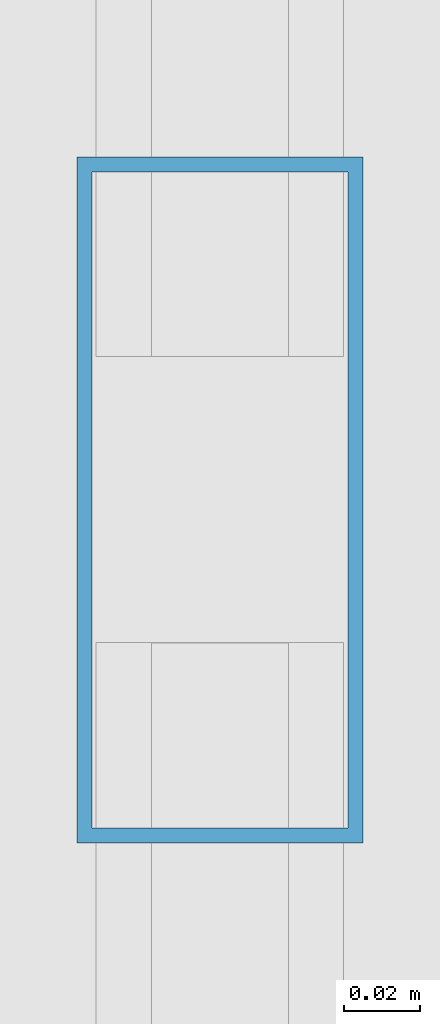
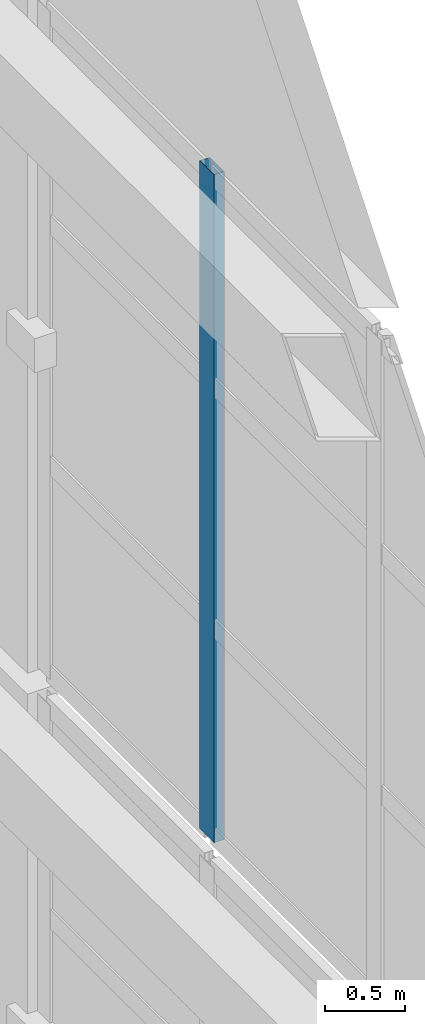
# One storey, part 39 of 47: 1 member, 1 element without a shape of its own.
"""IFC4 building model written with IfcOpenShell, lengths in metres."""

from ifc_helpers import new_model, si_unit, direction, frame, origin, origin_2d, place, context, subcontext, project, spatial, hollow_rectangle, extrude, material, layer, layer_set, material_profile, profile_set, type_object, element, aggregate, save


model = new_model("IFC4")

# Units and contexts
model_context = context("Model", 3, precision=1e-05, world=origin(), true_north=direction((0.0, 1.0)))
body_context = subcontext(model_context, "Body", "Model", "MODEL_VIEW")
ifc_project = project(units=[si_unit("LENGTHUNIT", "METRE"), si_unit("AREAUNIT", "SQUARE_METRE"), si_unit("VOLUMEUNIT", "CUBIC_METRE"), si_unit("PLANEANGLEUNIT", "RADIAN"), si_unit("MASSUNIT", "GRAM", prefix="KILO")], contexts=[model_context])

# Site, building, storey
site_placement = place(None, origin())
site = spatial("IfcSite", under=ifc_project, at=site_placement, CompositionType="ELEMENT")
building_placement = place(site_placement, origin())
building = spatial("IfcBuilding", under=site, at=building_placement, Name="Qiaolan Cultural Towers", CompositionType="ELEMENT")
storey_placement = place(building_placement, frame((0.0, 0.0, 280.199951171875)))
storey = spatial("IfcBuildingStorey", under=building, at=storey_placement, Name="RF", CompositionType="ELEMENT", Elevation=280.199951171875)

# Curtain wall, member
ifc_material_1 = material(Name="Unitized Anodized Aluminium Curtain Wall System", Category="aluminium")
ifc_layer = layer(ifc_material_1, 0.199951171875)
ifc_layer_set = layer_set([ifc_layer], Name="Unitized Anodized Aluminium Curtain Wall System")
curtain_wall_type = type_object("IfcCurtainWallType", Name="CWS-06", PredefinedType="NOTDEFINED", material=ifc_layer_set)
curtain_wall_placement = place(storey_placement, origin())
curtain_wall = element("IfcCurtainWall", 1, at=curtain_wall_placement, inside=storey, type_object=curtain_wall_type, Name="T1 Crown Tier 5 Fritted Screen Curtain Wall 3", PredefinedType="NOTDEFINED")
ifc_material_2 = material(Name="Extruded Aluminium 6063-T6", Category="aluminium")
ifc_material_profile = material_profile(ifc_material_2, hollow_rectangle(XDim=0.074951171875, YDim=0.179931640625, WallThickness=0.00390625, at=origin_2d()), Name="CWM-180x75x4")
ifc_profile_set = profile_set([ifc_material_profile], Name="Extruded Aluminium 6063-T6")
member_type = type_object("IfcMemberType", Name="CWS-06-MUL", PredefinedType="MULLION", material=ifc_profile_set)
member_placement = place(storey_placement, frame((45.050048828125, 38.179931640625, 21.300048828125), z_axis=(0.0, 0.0, 1.0), x_axis=(-1.0, 0.0, 0.0)))
member = element("IfcMember", 2, at=member_placement, type_object=member_type, Name="CW-6 mullion 6", PredefinedType="MULLION", context=body_context, shape_type="SweptSolid", body=[
    extrude(hollow_rectangle(XDim=0.074951171875, YDim=0.179931640625, WallThickness=0.00390625, at=origin_2d()), origin(), (0.0, 0.0, 1.0), 5.10009765625),
])
aggregate(curtain_wall, [member])

save(model, "model.ifc")
